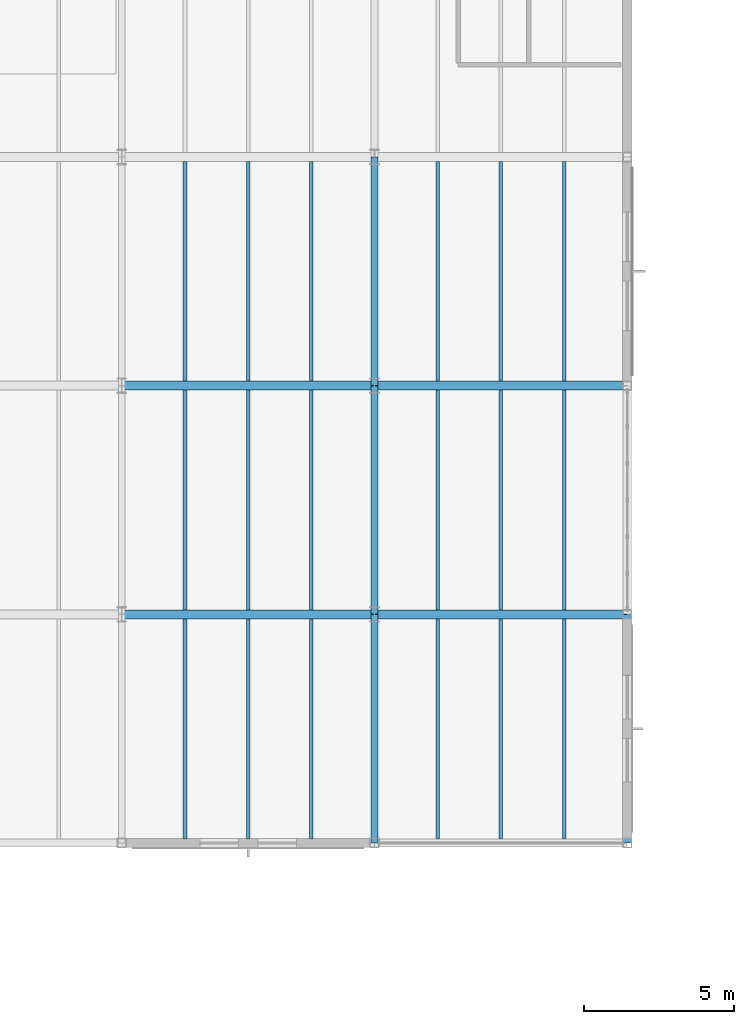
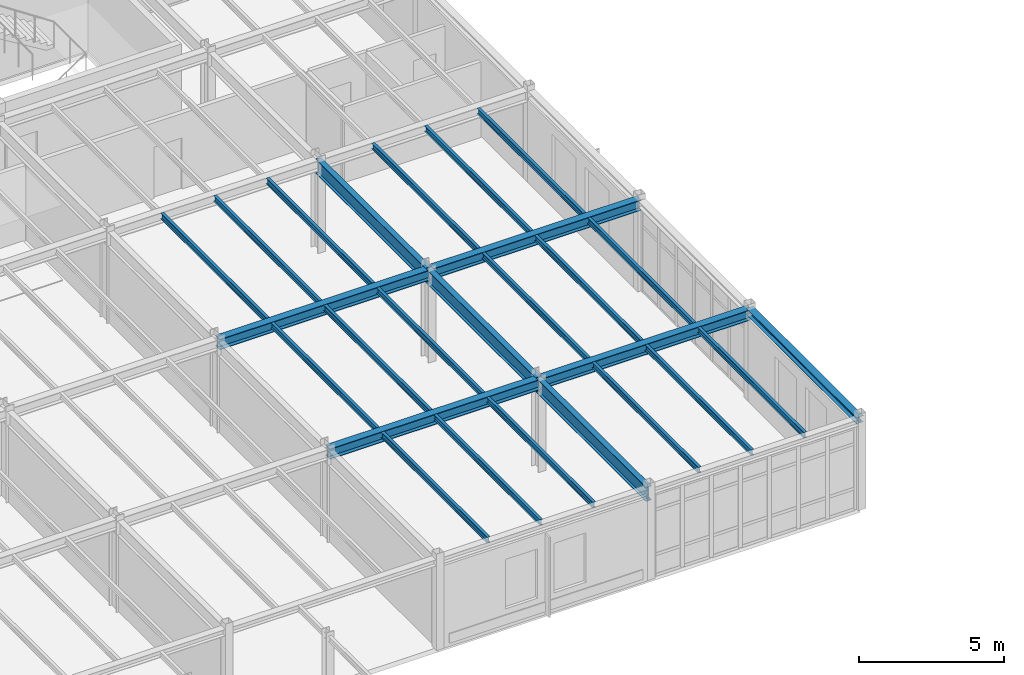
# One storey, part 89 of 165: 26 beams.
"""IFC4 building model written with IfcOpenShell, lengths in metres."""

from ifc_helpers import new_model, si_unit, direction, frame, origin, origin_2d, place, context, subcontext, project, spatial, i_section, extrude, material, material_profile, profile_set, type_object, element, save


model = new_model("IFC4")

# Units and contexts
model_context = context("Model", 3, precision=1e-05, world=origin(), true_north=direction((0.0, 1.0)))
body_context = subcontext(model_context, "Body", "Model", "MODEL_VIEW")
ifc_project = project(units=[si_unit("LENGTHUNIT", "METRE"), si_unit("AREAUNIT", "SQUARE_METRE"), si_unit("VOLUMEUNIT", "CUBIC_METRE"), si_unit("PLANEANGLEUNIT", "RADIAN"), si_unit("MASSUNIT", "GRAM", prefix="KILO")], contexts=[model_context])

# Site, building, storey
site_placement = place(None, origin())
site = spatial("IfcSite", under=ifc_project, at=site_placement, CompositionType="ELEMENT")
building_placement = place(site_placement, origin())
building = spatial("IfcBuilding", under=site, at=building_placement, Name="Montecoro Central Library", CompositionType="ELEMENT")
storey_placement = place(building_placement, frame((0.0, 0.0, 5.10009765625)))
storey = spatial("IfcBuildingStorey", under=building, at=storey_placement, Name="L01", CompositionType="ELEMENT", Elevation=5.10009765625)

# Beams
ifc_material_1 = material(Name="Steel S355J2", Category="steel")
ifc_material_profile_1 = material_profile(ifc_material_1, i_section(OverallWidth=0.300048828125, OverallDepth=0.43994140625, WebThickness=0.011474609375, FlangeThickness=0.02099609375, at=origin_2d()), Name="HEA 450")
ifc_profile_set_1 = profile_set([ifc_material_profile_1], Name="Steel S355J2")
beam_type_1 = type_object("IfcBeamType", Name="BM-G-HEA450", PredefinedType="USERDEFINED", material=ifc_profile_set_1)
beam_1_placement = place(storey_placement, frame((100.0048828125, 88.60009765625, 3.60498046875), z_axis=(1.0, 0.0, 0.0), x_axis=(0.0, 1.0, 0.0)))
element("IfcBeam", 1, at=beam_1_placement, inside=storey, type_object=beam_type_1, Name="V2-L01-BX-1314-M", ObjectType="GIRDER", PredefinedType="USERDEFINED", context=body_context, shape_type="SweptSolid", body=[
    extrude(i_section(OverallWidth=0.300048828125, OverallDepth=0.43994140625, WebThickness=0.011474609375, FlangeThickness=0.02099609375, at=origin_2d()), origin(), (0.0, 0.0, 1.0), 8.39013671875),
])
beam_2_placement = place(storey_placement, frame((108.405029296875, 88.60009765625, 3.60498046875), z_axis=(1.0, 0.0, 0.0), x_axis=(0.0, 1.0, 0.0)))
element("IfcBeam", 2, at=beam_2_placement, inside=storey, type_object=beam_type_1, Name="V2-L01-BX-1415-M", ObjectType="GIRDER", PredefinedType="USERDEFINED", context=body_context, shape_type="SweptSolid", body=[
    extrude(i_section(OverallWidth=0.300048828125, OverallDepth=0.43994140625, WebThickness=0.011474609375, FlangeThickness=0.02099609375, at=origin_2d()), origin(), (0.0, 0.0, 1.0), 8.389892578125),
])
beam_3_placement = place(storey_placement, frame((100.0048828125, 96.199951171875, 3.60498046875), z_axis=(1.0, 0.0, 0.0), x_axis=(0.0, 1.0, 0.0)))
element("IfcBeam", 3, at=beam_3_placement, inside=storey, type_object=beam_type_1, Name="V2-L01-BX-1314-N", ObjectType="GIRDER", PredefinedType="USERDEFINED", context=body_context, shape_type="SweptSolid", body=[
    extrude(i_section(OverallWidth=0.300048828125, OverallDepth=0.43994140625, WebThickness=0.011474609375, FlangeThickness=0.02099609375, at=origin_2d()), origin(), (0.0, 0.0, 1.0), 8.39013671875),
])
beam_4_placement = place(storey_placement, frame((108.405029296875, 96.199951171875, 3.60498046875), z_axis=(1.0, 0.0, 0.0), x_axis=(0.0, 1.0, 0.0)))
element("IfcBeam", 4, at=beam_4_placement, inside=storey, type_object=beam_type_1, Name="V2-L01-BX-1415-N", ObjectType="GIRDER", PredefinedType="USERDEFINED", context=body_context, shape_type="SweptSolid", body=[
    extrude(i_section(OverallWidth=0.300048828125, OverallDepth=0.43994140625, WebThickness=0.011474609375, FlangeThickness=0.02099609375, at=origin_2d()), origin(), (0.0, 0.0, 1.0), 8.389892578125),
])
ifc_material_profile_2 = material_profile(ifc_material_1, i_section(OverallWidth=0.219970703125, OverallDepth=0.60009765625, WebThickness=0.011962890625, FlangeThickness=0.01904296875, at=origin_2d()), Name="IPE 600")
ifc_profile_set_2 = profile_set([ifc_material_profile_2], Name="Steel S355J2")
beam_type_2 = type_object("IfcBeamType", Name="BM-G-IPE600", PredefinedType="USERDEFINED", material=ifc_profile_set_2)
for number, where, z_axis, x_axis, name in (
    (5, (108.39990234375, 81.0048828125, 3.52490234375), (0.0, 1.0, 0.0), (-1.0, 0.0, 0.0), "V2-L01-BY-14-LM"),
    (6, (108.39990234375, 88.60498046875, 3.52490234375), (0.0, 1.0, 0.0), (-1.0, 0.0, 0.0), "V2-L01-BY-14-MN"),
):
    element("IfcBeam", number, at=place(storey_placement, frame(where, z_axis=z_axis, x_axis=x_axis)), inside=storey, type_object=beam_type_2, Name=name, ObjectType="GIRDER", PredefinedType="USERDEFINED", context=body_context, shape_type="SweptSolid", body=[
        extrude(i_section(OverallWidth=0.219970703125, OverallDepth=0.60009765625, WebThickness=0.011962890625, FlangeThickness=0.01904296875, at=origin_2d()), origin(), (0.0, 0.0, 1.0), 7.590087890625),
    ])
beam_5_placement = place(storey_placement, frame((108.39990234375, 96.205078125, 3.52490234375), z_axis=(0.0, 1.0, 0.0), x_axis=(-1.0, 0.0, 0.0)))
element("IfcBeam", 7, at=beam_5_placement, inside=storey, type_object=beam_type_2, Name="V2-L01-BY-14-NP", ObjectType="GIRDER", PredefinedType="USERDEFINED", context=body_context, shape_type="SweptSolid", body=[
    extrude(i_section(OverallWidth=0.219970703125, OverallDepth=0.60009765625, WebThickness=0.011962890625, FlangeThickness=0.01904296875, at=origin_2d()), origin(), (0.0, 0.0, 1.0), 7.58984375),
])
ifc_material_2 = material(Name="Steel S355", Category="steel")
ifc_material_profile_3 = material_profile(ifc_material_2, i_section(OverallWidth=0.1201171875, OverallDepth=0.239990234375, WebThickness=0.006103515625, FlangeThickness=0.009765625, at=origin_2d()), Name="IPE 240")
ifc_profile_set_3 = profile_set([ifc_material_profile_3], Name="Steel S355")
beam_type_3 = type_object("IfcBeamType", Name="BM-J-IPE240", PredefinedType="JOIST", material=ifc_profile_set_3)
for number, where, z_axis, x_axis, name in (
    (8, (102.10009765625, 81.136962890625, 3.704833984375), (0.0, 1.0, 0.0), (-1.0, 0.0, 0.0), "V2-L01-JS-1314-LM-1"),
    (9, (104.199951171875, 81.136962890625, 3.704833984375), (0.0, 1.0, 0.0), (-1.0, 0.0, 0.0), "V2-L01-JS-1314-LM-2"),
    (10, (106.300048828125, 81.136962890625, 3.704833984375), (0.0, 1.0, 0.0), (-1.0, 0.0, 0.0), "V2-L01-JS-1314-LM-3"),
):
    element("IfcBeam", number, at=place(storey_placement, frame(where, z_axis=z_axis, x_axis=x_axis)), inside=storey, type_object=beam_type_3, Name=name, PredefinedType="JOIST", context=body_context, shape_type="SweptSolid", body=[
        extrude(i_section(OverallWidth=0.1201171875, OverallDepth=0.239990234375, WebThickness=0.006103515625, FlangeThickness=0.009765625, at=origin_2d()), origin(), (0.0, 0.0, 1.0), 7.31591796875),
    ])
for number, where, z_axis, x_axis, name in (
    (11, (102.10009765625, 88.7470703125, 3.704833984375), (0.0, 1.0, 0.0), (-1.0, 0.0, 0.0), "V2-L01-JS-1314-MN-1"),
    (12, (104.199951171875, 88.7470703125, 3.704833984375), (0.0, 1.0, 0.0), (-1.0, 0.0, 0.0), "V2-L01-JS-1314-MN-2"),
    (13, (106.300048828125, 88.7470703125, 3.704833984375), (0.0, 1.0, 0.0), (-1.0, 0.0, 0.0), "V2-L01-JS-1314-MN-3"),
):
    element("IfcBeam", number, at=place(storey_placement, frame(where, z_axis=z_axis, x_axis=x_axis)), inside=storey, type_object=beam_type_3, Name=name, PredefinedType="JOIST", context=body_context, shape_type="SweptSolid", body=[
        extrude(i_section(OverallWidth=0.1201171875, OverallDepth=0.239990234375, WebThickness=0.006103515625, FlangeThickness=0.009765625, at=origin_2d()), origin(), (0.0, 0.0, 1.0), 7.305908203125),
    ])
for number, where, z_axis, x_axis, name in (
    (14, (102.10009765625, 96.346923828125, 3.704833984375), (0.0, 1.0, 0.0), (-1.0, 0.0, 0.0), "V2-L01-JS-1314-NP-1"),
    (15, (104.199951171875, 96.346923828125, 3.704833984375), (0.0, 1.0, 0.0), (-1.0, 0.0, 0.0), "V2-L01-JS-1314-NP-2"),
    (16, (106.300048828125, 96.346923828125, 3.704833984375), (0.0, 1.0, 0.0), (-1.0, 0.0, 0.0), "V2-L01-JS-1314-NP-3"),
):
    element("IfcBeam", number, at=place(storey_placement, frame(where, z_axis=z_axis, x_axis=x_axis)), inside=storey, type_object=beam_type_3, Name=name, PredefinedType="JOIST", context=body_context, shape_type="SweptSolid", body=[
        extrude(i_section(OverallWidth=0.1201171875, OverallDepth=0.239990234375, WebThickness=0.006103515625, FlangeThickness=0.009765625, at=origin_2d()), origin(), (0.0, 0.0, 1.0), 7.30615234375),
    ])
for number, where, z_axis, x_axis, name in (
    (17, (110.5, 81.136962890625, 3.704833984375), (0.0, 1.0, 0.0), (-1.0, 0.0, 0.0), "V2-L01-JS-1415-LM-1"),
    (18, (112.60009765625, 81.136962890625, 3.704833984375), (0.0, 1.0, 0.0), (-1.0, 0.0, 0.0), "V2-L01-JS-1415-LM-2"),
    (19, (114.699951171875, 81.136962890625, 3.704833984375), (0.0, 1.0, 0.0), (-1.0, 0.0, 0.0), "V2-L01-JS-1415-LM-3"),
):
    element("IfcBeam", number, at=place(storey_placement, frame(where, z_axis=z_axis, x_axis=x_axis)), inside=storey, type_object=beam_type_3, Name=name, PredefinedType="JOIST", context=body_context, shape_type="SweptSolid", body=[
        extrude(i_section(OverallWidth=0.1201171875, OverallDepth=0.239990234375, WebThickness=0.006103515625, FlangeThickness=0.009765625, at=origin_2d()), origin(), (0.0, 0.0, 1.0), 7.31591796875),
    ])
for number, where, z_axis, x_axis, name in (
    (20, (110.5, 88.7470703125, 3.704833984375), (0.0, 1.0, 0.0), (-1.0, 0.0, 0.0), "V2-L01-JS-1415-MN-1"),
    (21, (112.60009765625, 88.7470703125, 3.704833984375), (0.0, 1.0, 0.0), (-1.0, 0.0, 0.0), "V2-L01-JS-1415-MN-2"),
    (22, (114.699951171875, 88.7470703125, 3.704833984375), (0.0, 1.0, 0.0), (-1.0, 0.0, 0.0), "V2-L01-JS-1415-MN-3"),
):
    element("IfcBeam", number, at=place(storey_placement, frame(where, z_axis=z_axis, x_axis=x_axis)), inside=storey, type_object=beam_type_3, Name=name, PredefinedType="JOIST", context=body_context, shape_type="SweptSolid", body=[
        extrude(i_section(OverallWidth=0.1201171875, OverallDepth=0.239990234375, WebThickness=0.006103515625, FlangeThickness=0.009765625, at=origin_2d()), origin(), (0.0, 0.0, 1.0), 7.305908203125),
    ])
for number, where, z_axis, x_axis, name in (
    (23, (110.5, 96.346923828125, 3.704833984375), (0.0, 1.0, 0.0), (-1.0, 0.0, 0.0), "V2-L01-JS-1415-NP-1"),
    (24, (112.60009765625, 96.346923828125, 3.704833984375), (0.0, 1.0, 0.0), (-1.0, 0.0, 0.0), "V2-L01-JS-1415-NP-2"),
    (25, (114.699951171875, 96.346923828125, 3.704833984375), (0.0, 1.0, 0.0), (-1.0, 0.0, 0.0), "V2-L01-JS-1415-NP-3"),
):
    element("IfcBeam", number, at=place(storey_placement, frame(where, z_axis=z_axis, x_axis=x_axis)), inside=storey, type_object=beam_type_3, Name=name, PredefinedType="JOIST", context=body_context, shape_type="SweptSolid", body=[
        extrude(i_section(OverallWidth=0.1201171875, OverallDepth=0.239990234375, WebThickness=0.006103515625, FlangeThickness=0.009765625, at=origin_2d()), origin(), (0.0, 0.0, 1.0), 7.30615234375),
    ])
ifc_material_profile_4 = material_profile(ifc_material_2, i_section(OverallWidth=0.280029296875, OverallDepth=0.27001953125, WebThickness=0.008056640625, FlangeThickness=0.012939453125, at=origin_2d()), Name="HEA 280")
ifc_profile_set_4 = profile_set([ifc_material_profile_4], Name="Steel S355")
beam_type_4 = type_object("IfcBeamType", Name="BM-SP-HEA280", PredefinedType="SPANDREL", material=ifc_profile_set_4)
beam_6_placement = place(storey_placement, frame((116.800048828125, 81.0048828125, 3.68994140625), z_axis=(0.0, 1.0, 0.0), x_axis=(-1.0, 0.0, 0.0)))
element("IfcBeam", 26, at=beam_6_placement, inside=storey, type_object=beam_type_4, Name="V2-L01-BY-15-LM", PredefinedType="SPANDREL", context=body_context, shape_type="SweptSolid", body=[
    extrude(i_section(OverallWidth=0.280029296875, OverallDepth=0.27001953125, WebThickness=0.008056640625, FlangeThickness=0.012939453125, at=origin_2d()), origin(), (0.0, 0.0, 1.0), 7.590087890625),
])

save(model, "model.ifc")
